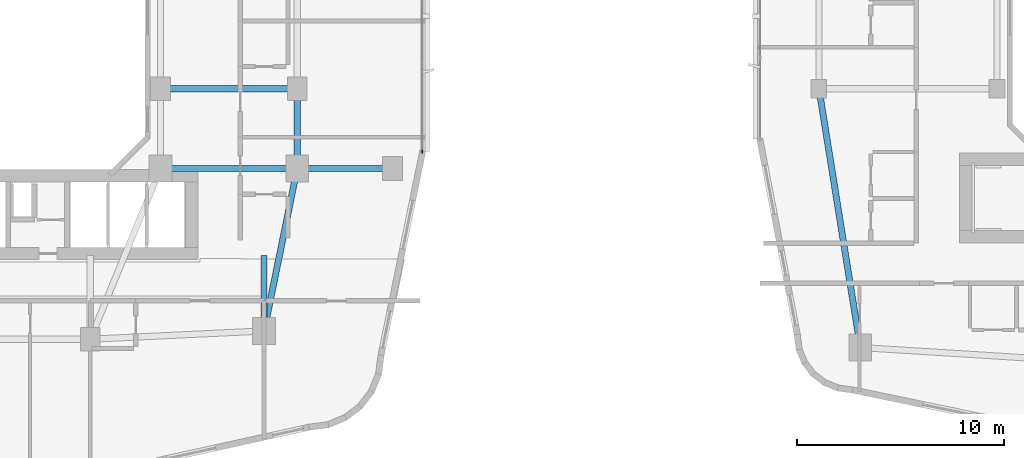
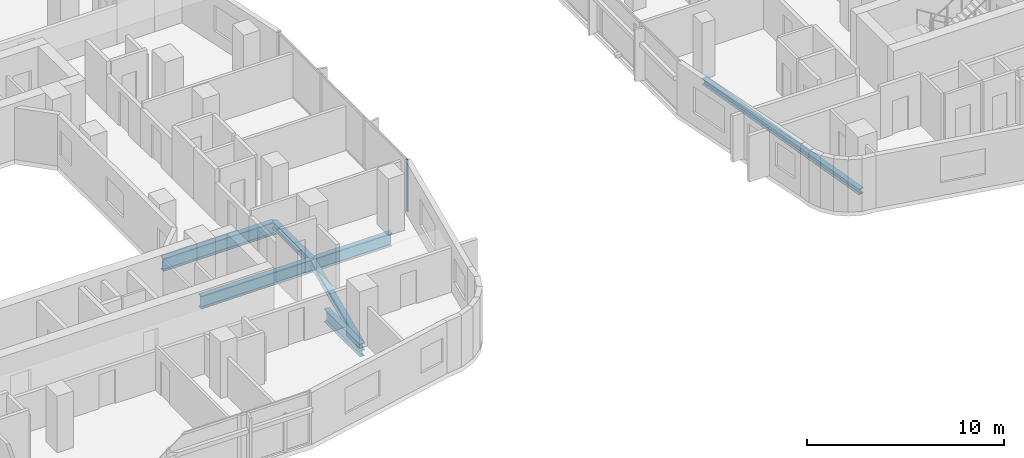
# One storey, part 4 of 27: 7 beams, 1 member, 1 element without a shape of its own.
"""IFC4 building model written with IfcOpenShell, lengths in metres."""

from ifc_helpers import new_model, si_unit, derived_unit, direction, frame, origin, origin_2d, place, context, subcontext, project, spatial, rectangle, i_section, extrude, material, layer, layer_set, material_profile, profile_set, type_object, element, aggregate, save


model = new_model("IFC4")

# Units and contexts
model_context = context("Model", 3, precision=1e-05, world=origin(), true_north=direction((0.0, 1.0)))
body_context = subcontext(model_context, "Body", "Model", "MODEL_VIEW")
ifc_project = project(units=[si_unit("LENGTHUNIT", "METRE"), si_unit("AREAUNIT", "SQUARE_METRE"), si_unit("VOLUMEUNIT", "CUBIC_METRE"), si_unit("PLANEANGLEUNIT", "RADIAN"), si_unit("MASSUNIT", "GRAM", prefix="KILO"), derived_unit("THERMALTRANSMITTANCEUNIT", [(si_unit("POWERUNIT", "WATT"), 1), (si_unit("LENGTHUNIT", "METRE"), -2), (si_unit("THERMODYNAMICTEMPERATUREUNIT", "KELVIN"), -1)])], contexts=[model_context])

# Site, building, storey
site_placement = place(None, origin())
site = spatial("IfcSite", under=ifc_project, at=site_placement, CompositionType="ELEMENT")
building_placement = place(site_placement, origin())
building = spatial("IfcBuilding", under=site, at=building_placement, Name="Kivonza Crest Hotel", CompositionType="ELEMENT")
storey_placement = place(building_placement, frame((0.0, 0.0, 41.5)))
storey = spatial("IfcBuildingStorey", under=building, at=storey_placement, Name="L10", CompositionType="ELEMENT", Elevation=41.5)

# Beams
ifc_material_1 = material(Name="Steel S355", Category="steel")
ifc_material_profile_1 = material_profile(ifc_material_1, i_section(OverallWidth=0.300048828125, OverallDepth=0.360107421875, WebThickness=0.012451171875, FlangeThickness=0.0224609375, FilletRadius=0.027099609375, at=origin_2d()), Name="HEB 360")
ifc_profile_set_1 = profile_set([ifc_material_profile_1], Name="Steel S355")
beam_type_1 = type_object("IfcBeamType", Name="BM-HEB360", PredefinedType="SPANDREL", material=ifc_profile_set_1)
beam_1_placement = place(storey_placement, frame((61.0, 21.5, -0.429931640625), z_axis=(0.157990501107, -0.987440631917, 0.0), x_axis=(0.987440631917, 0.157990501107, 0.0)))
element("IfcBeam", 1, at=beam_1_placement, inside=storey, type_object=beam_type_1, Name="Companion Tower T2 L10 perimeter spandrel W1-SW", PredefinedType="SPANDREL", context=body_context, shape_type="SweptSolid", body=[
    extrude(i_section(OverallWidth=0.300048828125, OverallDepth=0.360107421875, WebThickness=0.012451171875, FlangeThickness=0.0224609375, FilletRadius=0.027099609375, at=origin_2d()), origin(), (0.0, 0.0, 1.0), 12.658935546875),
])
ifc_material_profile_2 = material_profile(ifc_material_1, i_section(OverallWidth=0.300048828125, OverallDepth=0.449951171875, WebThickness=0.013916015625, FlangeThickness=0.02587890625, FilletRadius=0.027099609375, at=origin_2d()), Name="HEB 450")
ifc_profile_set_2 = profile_set([ifc_material_profile_2], Name="Steel S355")
beam_type_2 = type_object("IfcBeamType", Name="BM-HEB450", PredefinedType="SPANDREL", material=ifc_profile_set_2)
beam_2_placement = place(storey_placement, frame((34.199951171875, 9.800048828125, -0.5048828125), z_axis=(0.199730733965, 0.979850822273, 0.0), x_axis=(-0.979850822273, 0.199730733965, 0.0)))
element("IfcBeam", 2, at=beam_2_placement, inside=storey, type_object=beam_type_2, Name="Tower T1 L10 perimeter spandrel SE-PSE", PredefinedType="SPANDREL", context=body_context, shape_type="SweptSolid", body=[
    extrude(i_section(OverallWidth=0.300048828125, OverallDepth=0.449951171875, WebThickness=0.013916015625, FlangeThickness=0.02587890625, FilletRadius=0.027099609375, at=origin_2d()), origin(), (0.0, 0.0, 1.0), 8.01123046875),
])
beam_3_placement = place(storey_placement, frame((35.800048828125, 17.64990234375, -0.5048828125), z_axis=(0.0, 1.0, 0.0), x_axis=(-1.0, 0.0, 0.0)))
element("IfcBeam", 3, at=beam_3_placement, inside=storey, type_object=beam_type_2, Name="Tower T1 L10 perimeter spandrel PSE-E1", PredefinedType="SPANDREL", context=body_context, shape_type="SweptSolid", body=[
    extrude(i_section(OverallWidth=0.300048828125, OverallDepth=0.449951171875, WebThickness=0.013916015625, FlangeThickness=0.02587890625, FilletRadius=0.027099609375, at=origin_2d()), origin(), (0.0, 0.0, 1.0), 3.85009765625),
])
ifc_material_profile_3 = material_profile(ifc_material_1, i_section(OverallWidth=0.300048828125, OverallDepth=0.800048828125, WebThickness=0.017578125, FlangeThickness=0.032958984375, FilletRadius=0.030029296875, at=origin_2d()), Name="HEB 800")
ifc_profile_set_3 = profile_set([ifc_material_profile_3], Name="Steel S355")
beam_type_3 = type_object("IfcBeamType", Name="BM-HEB800", PredefinedType="BEAM", material=ifc_profile_set_3)
for number, where, z_axis, x_axis, name in (
    (4, (29.199951171875, 17.64990234375, -0.679931640625), (1.0, 0.0, 0.0), (0.0, 1.0, 0.0), "Tower T1 L10 primary girder TSE-PSE"),
    (5, (29.199951171875, 21.5, -0.679931640625), (1.0, 0.0, 0.0), (0.0, 1.0, 0.0), "Tower T1 L10 primary girder WR1-E1"),
):
    element("IfcBeam", number, at=place(storey_placement, frame(where, z_axis=z_axis, x_axis=x_axis)), inside=storey, type_object=beam_type_3, Name=name, PredefinedType="BEAM", context=body_context, shape_type="SweptSolid", body=[
        extrude(i_section(OverallWidth=0.300048828125, OverallDepth=0.800048828125, WebThickness=0.017578125, FlangeThickness=0.032958984375, FilletRadius=0.030029296875, at=origin_2d()), origin(), (0.0, 0.0, 1.0), 6.60009765625),
    ])
beam_4_placement = place(storey_placement, frame((40.39990234375, 17.64990234375, -0.679931640625), z_axis=(-1.0, 0.0, 0.0), x_axis=(0.0, -1.0, 0.0)))
element("IfcBeam", 6, at=beam_4_placement, inside=storey, type_object=beam_type_3, Name="Tower T1 L10 outer bay girder ZE1", PredefinedType="BEAM", context=body_context, shape_type="SweptSolid", body=[
    extrude(i_section(OverallWidth=0.300048828125, OverallDepth=0.800048828125, WebThickness=0.017578125, FlangeThickness=0.032958984375, FilletRadius=0.030029296875, at=origin_2d()), origin(), (0.0, 0.0, 1.0), 4.599853515625),
])
beam_5_placement = place(storey_placement, frame((34.199951171875, 9.800048828125, -0.679931640625), z_axis=(0.0, 1.0, 0.0), x_axis=(-1.0, 0.0, 0.0)))
element("IfcBeam", 7, at=beam_5_placement, inside=storey, type_object=beam_type_3, Name="Tower T1 L10 radial core girder RSE", PredefinedType="BEAM", context=body_context, shape_type="SweptSolid", body=[
    extrude(i_section(OverallWidth=0.300048828125, OverallDepth=0.800048828125, WebThickness=0.017578125, FlangeThickness=0.032958984375, FilletRadius=0.030029296875, at=origin_2d()), origin(), (0.0, 0.0, 1.0), 3.64990234375),
])

# Curtain wall, member
ifc_material_2 = material(Name="Anodised bronze aluminium and low-E double glazing", Category="aluminium")
ifc_layer = layer(ifc_material_2, 0.179931640625)
ifc_layer_set = layer_set([ifc_layer], Name="Anodised bronze aluminium and low-E double glazing")
curtain_wall_type = type_object("IfcCurtainWallType", Name="CW-SYS-2", PredefinedType="NOTDEFINED", material=ifc_layer_set)
curtain_wall_placement = place(storey_placement, origin())
curtain_wall = element("IfcCurtainWall", 8, at=curtain_wall_placement, inside=storey, type_object=curtain_wall_type, Name="L10 unitised curtain wall CW-T1-L10-17", PredefinedType="NOTDEFINED")
ifc_material_3 = material(Name="Anodised bronze aluminium", Category="aluminium")
ifc_material_profile_4 = material_profile(ifc_material_3, rectangle(XDim=0.06494140625, YDim=0.179931640625, at=origin_2d()), Name="CW-M 65x180")
ifc_profile_set_4 = profile_set([ifc_material_profile_4], Name="Anodised bronze aluminium")
member_type = type_object("IfcMemberType", Name="CW-MUL-65x180", PredefinedType="MULLION", material=ifc_profile_set_4)
member_placement = place(storey_placement, frame((41.840087890625, 18.472412109375, 0.0), z_axis=(0.0, 0.0, 1.0), x_axis=(-1.0, 0.0, 0.0)))
member = element("IfcMember", 9, at=member_placement, type_object=member_type, Name="CW-2 mullion 1", PredefinedType="MULLION", context=body_context, shape_type="SweptSolid", body=[
    extrude(rectangle(XDim=0.06494140625, YDim=0.179931640625, at=origin_2d()), origin(), (0.0, 0.0, 1.0), 3.219970703125),
])
aggregate(curtain_wall, [member])

save(model, "model.ifc")
